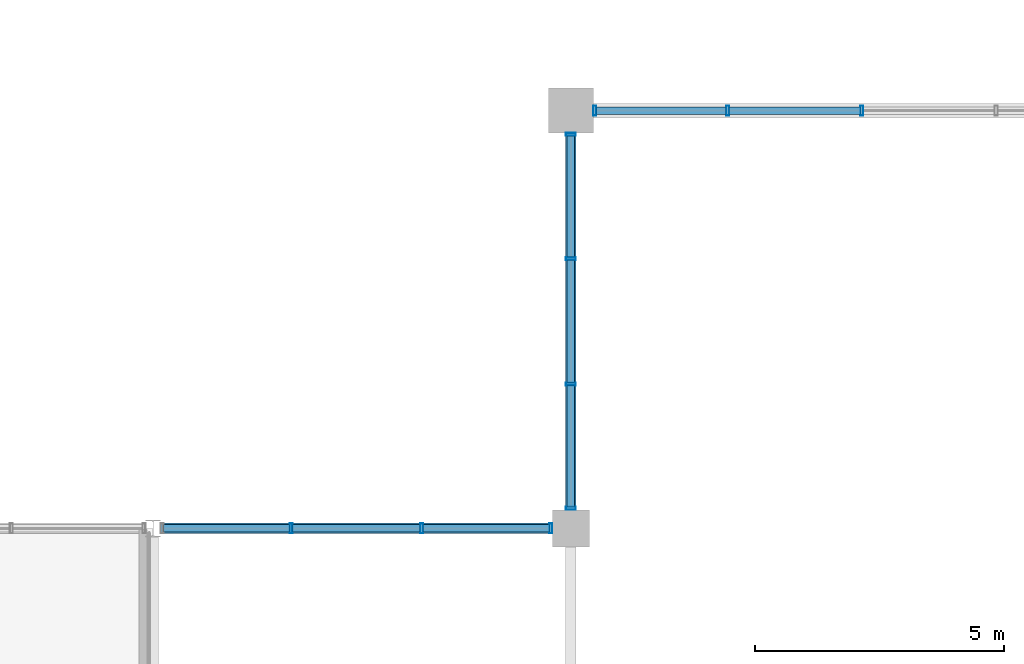
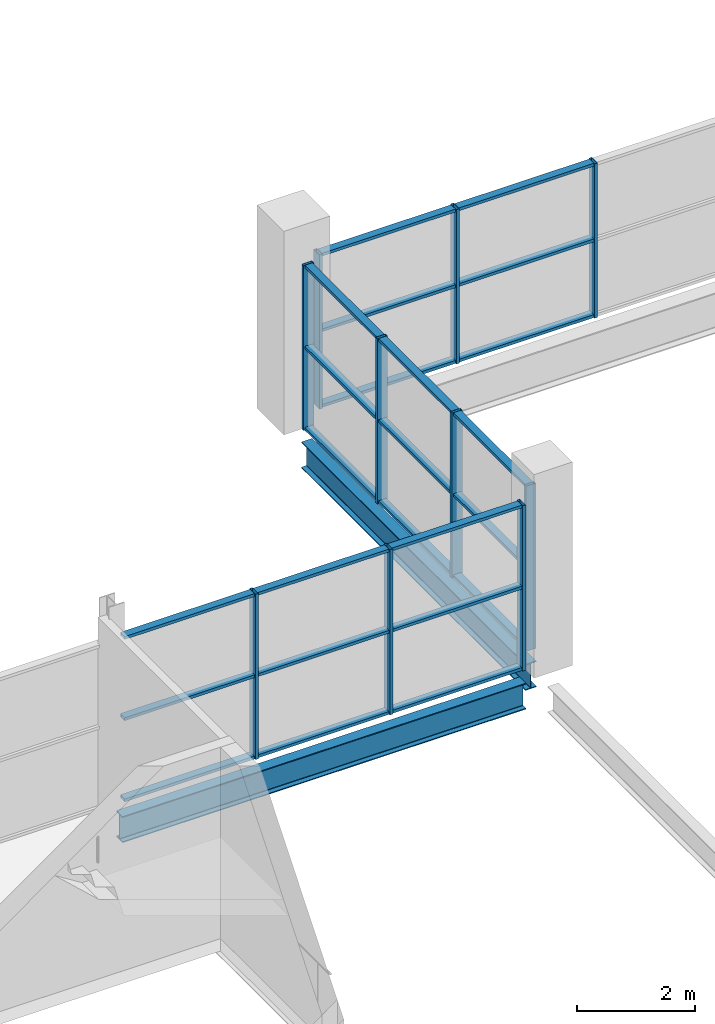
# One storey, part 35 of 93: 34 members, 2 beams, 3 elements without a shape of their own.
"""IFC4 building model written with IfcOpenShell, lengths in metres."""

from ifc_helpers import new_model, si_unit, direction, frame, origin, origin_2d, place, context, subcontext, project, spatial, hollow_rectangle, i_section, extrude, material, material_profile, profile_set, type_object, element, aggregate, save


model = new_model("IFC4")

# Units and contexts
model_context = context("Model", 3, precision=1e-05, world=origin(), true_north=direction((0.0, 1.0)))
body_context = subcontext(model_context, "Body", "Model", "MODEL_VIEW")
ifc_project = project(units=[si_unit("LENGTHUNIT", "METRE"), si_unit("AREAUNIT", "SQUARE_METRE"), si_unit("VOLUMEUNIT", "CUBIC_METRE"), si_unit("PLANEANGLEUNIT", "RADIAN"), si_unit("MASSUNIT", "GRAM", prefix="KILO"), si_unit("THERMODYNAMICTEMPERATUREUNIT", "KELVIN")], contexts=[model_context])

# Site, building, storey
site_placement = place(None, origin())
site = spatial("IfcSite", under=ifc_project, at=site_placement, CompositionType="ELEMENT")
building_placement = place(site_placement, origin())
building = spatial("IfcBuilding", under=site, at=building_placement, Name="Nduvali Passage Aquatics Centre", CompositionType="ELEMENT")
storey_placement = place(building_placement, frame((0.0, 0.0, 9.0)))
storey = spatial("IfcBuildingStorey", under=building, at=storey_placement, Name="L02", CompositionType="ELEMENT", Elevation=9.0)

# Curtain wall, members
ifc_material_1 = material(Name="Aluminium EN AW-6063 T6", Category="aluminium")
curtain_wall_type_1 = type_object("IfcCurtainWallType", Name="ENV-CW-CLER", PredefinedType="NOTDEFINED", material=ifc_material_1)
curtain_wall_1_placement = place(storey_placement, origin())
curtain_wall_1 = element("IfcCurtainWall", 1, at=curtain_wall_1_placement, inside=storey, type_object=curtain_wall_type_1, Name="L02 West Pool Hall Mid Clerestory 013", PredefinedType="NOTDEFINED")
ifc_material_profile_1 = material_profile(ifc_material_1, hollow_rectangle(XDim=0.06005859375, YDim=0.199951171875, WallThickness=0.00390625, at=origin_2d()), Name="ALU MULLION 60x200x4")
ifc_profile_set_1 = profile_set([ifc_material_profile_1], Name="Aluminium EN AW-6063 T6")
member_type_1 = type_object("IfcMemberType", Name="ENV-MEM-MUL80", PredefinedType="MULLION", material=ifc_profile_set_1)
member_1_placement = place(storey_placement, frame((25.199951171875, 84.405029296875, 0.0), z_axis=(0.0, 0.0, 1.0), x_axis=(0.0, 1.0, 0.0)))
member_1 = element("IfcMember", 2, at=member_1_placement, type_object=member_type_1, Name="West Pool Hall Mid Clerestory Mullion 1", PredefinedType="MULLION", context=body_context, shape_type="SweptSolid", body=[
    extrude(hollow_rectangle(XDim=0.06005859375, YDim=0.199951171875, WallThickness=0.00390625, at=origin_2d()), origin(), (0.0, 0.0, 1.0), 3.406494140625),
])
member_2_placement = place(storey_placement, frame((25.199951171875, 86.89990234375, 0.0), z_axis=(0.0, 0.0, 1.0), x_axis=(0.0, 1.0, 0.0)))
member_2 = element("IfcMember", 3, at=member_2_placement, type_object=member_type_1, Name="West Pool Hall Mid Clerestory Mullion 2", PredefinedType="MULLION", context=body_context, shape_type="SweptSolid", body=[
    extrude(hollow_rectangle(XDim=0.06005859375, YDim=0.199951171875, WallThickness=0.00390625, at=origin_2d()), origin(), (0.0, 0.0, 1.0), 3.406494140625),
])
member_3_placement = place(storey_placement, frame((25.199951171875, 89.425048828125, 0.0), z_axis=(0.0, 0.0, 1.0), x_axis=(0.0, 1.0, 0.0)))
member_3 = element("IfcMember", 4, at=member_3_placement, type_object=member_type_1, Name="West Pool Hall Mid Clerestory Mullion 3", PredefinedType="MULLION", context=body_context, shape_type="SweptSolid", body=[
    extrude(hollow_rectangle(XDim=0.06005859375, YDim=0.199951171875, WallThickness=0.00390625, at=origin_2d()), origin(), (0.0, 0.0, 1.0), 3.406494140625),
])
member_4_placement = place(storey_placement, frame((25.199951171875, 91.919921875, 0.0), z_axis=(0.0, 0.0, 1.0), x_axis=(0.0, 1.0, 0.0)))
member_4 = element("IfcMember", 5, at=member_4_placement, type_object=member_type_1, Name="West Pool Hall Mid Clerestory Mullion 4", PredefinedType="MULLION", context=body_context, shape_type="SweptSolid", body=[
    extrude(hollow_rectangle(XDim=0.06005859375, YDim=0.199951171875, WallThickness=0.00390625, at=origin_2d()), origin(), (0.0, 0.0, 1.0), 3.406494140625),
])

curtain_wall_2_placement = place(storey_placement, origin())
curtain_wall_2 = element("IfcCurtainWall", 6, at=curtain_wall_2_placement, inside=storey, type_object=curtain_wall_type_1, Name="L02 North Pool Hall Corner Clerestory 055", PredefinedType="NOTDEFINED")
member_5_placement = place(storey_placement, frame((25.679931640625, 92.39990234375, 0.0), z_axis=(0.0, 0.0, 1.0), x_axis=(1.0, 0.0, 0.0)))
member_5 = element("IfcMember", 7, at=member_5_placement, type_object=member_type_1, Name="North Pool Hall Corner Clerestory Mullion 1", PredefinedType="MULLION", context=body_context, shape_type="SweptSolid", body=[
    extrude(hollow_rectangle(XDim=0.06005859375, YDim=0.199951171875, WallThickness=0.00390625, at=origin_2d()), origin(), (0.0, 0.0, 1.0), 3.183837890625),
])
member_6_placement = place(storey_placement, frame((28.35009765625, 92.39990234375, 0.0), z_axis=(0.0, 0.0, 1.0), x_axis=(1.0, 0.0, 0.0)))
member_6 = element("IfcMember", 8, at=member_6_placement, type_object=member_type_1, Name="North Pool Hall Corner Clerestory Mullion 2", PredefinedType="MULLION", context=body_context, shape_type="SweptSolid", body=[
    extrude(hollow_rectangle(XDim=0.06005859375, YDim=0.199951171875, WallThickness=0.00390625, at=origin_2d()), origin(), (0.0, 0.0, 1.0), 3.183837890625),
])
member_7_placement = place(storey_placement, frame((31.050048828125, 92.39990234375, 0.0), z_axis=(0.0, 0.0, 1.0), x_axis=(1.0, 0.0, 0.0)))
member_7 = element("IfcMember", 9, at=member_7_placement, type_object=member_type_1, Name="North Pool Hall Corner Clerestory Mullion 3", PredefinedType="MULLION", context=body_context, shape_type="SweptSolid", body=[
    extrude(hollow_rectangle(XDim=0.06005859375, YDim=0.199951171875, WallThickness=0.00390625, at=origin_2d()), origin(), (0.0, 0.0, 1.0), 3.183837890625),
])

curtain_wall_type_2 = type_object("IfcCurtainWallType", Name="ENV-CW-DIVE", PredefinedType="NOTDEFINED", material=ifc_material_1)
curtain_wall_3_placement = place(storey_placement, origin())
curtain_wall_3 = element("IfcCurtainWall", 10, at=curtain_wall_3_placement, inside=storey, type_object=curtain_wall_type_2, Name="L02 Diving Side Clerestory CW 160", PredefinedType="NOTDEFINED")
member_8_placement = place(storey_placement, frame((19.574951171875, 84.0, 0.0), z_axis=(0.0, 0.0, 1.0), x_axis=(1.0, 0.0, 0.0)))
member_8 = element("IfcMember", 11, at=member_8_placement, type_object=member_type_1, Name="Diving Side Clerestory CW Mullion 2", PredefinedType="MULLION", context=body_context, shape_type="SweptSolid", body=[
    extrude(hollow_rectangle(XDim=0.06005859375, YDim=0.199951171875, WallThickness=0.00390625, at=origin_2d()), origin(), (0.0, 0.0, 1.0), 3.412841796875),
])
member_9_placement = place(storey_placement, frame((22.199951171875, 84.0, 0.0), z_axis=(0.0, 0.0, 1.0), x_axis=(1.0, 0.0, 0.0)))
member_9 = element("IfcMember", 12, at=member_9_placement, type_object=member_type_1, Name="Diving Side Clerestory CW Mullion 3", PredefinedType="MULLION", context=body_context, shape_type="SweptSolid", body=[
    extrude(hollow_rectangle(XDim=0.06005859375, YDim=0.199951171875, WallThickness=0.00390625, at=origin_2d()), origin(), (0.0, 0.0, 1.0), 3.412841796875),
])
member_10_placement = place(storey_placement, frame((24.794921875, 84.0, 0.0), z_axis=(0.0, 0.0, 1.0), x_axis=(1.0, 0.0, 0.0)))
member_10 = element("IfcMember", 13, at=member_10_placement, type_object=member_type_1, Name="Diving Side Clerestory CW Mullion 4", PredefinedType="MULLION", context=body_context, shape_type="SweptSolid", body=[
    extrude(hollow_rectangle(XDim=0.06005859375, YDim=0.199951171875, WallThickness=0.00390625, at=origin_2d()), origin(), (0.0, 0.0, 1.0), 3.412841796875),
])

# Member
ifc_material_profile_2 = material_profile(ifc_material_1, hollow_rectangle(XDim=0.14990234375, YDim=0.06005859375, WallThickness=0.00390625, at=origin_2d()), Name="ALU TRANSOM 150x60x4")
ifc_profile_set_2 = profile_set([ifc_material_profile_2], Name="Aluminium EN AW-6063 T6")
member_type_2 = type_object("IfcMemberType", Name="ENV-MEM-TRN80", PredefinedType="USERDEFINED", material=ifc_profile_set_2)
member_11_placement = place(storey_placement, frame((25.199951171875, 84.43505859375, 0.030029296875), z_axis=(0.0, 1.0, 0.0), x_axis=(-1.0, 0.0, 0.0)))
member_11 = element("IfcMember", 14, at=member_11_placement, type_object=member_type_2, Name="West Pool Hall Mid Clerestory Transom B1-R0", ObjectType="TRANSOM", PredefinedType="USERDEFINED", context=body_context, shape_type="SweptSolid", body=[
    extrude(hollow_rectangle(XDim=0.14990234375, YDim=0.06005859375, WallThickness=0.00390625, at=origin_2d()), origin(), (0.0, 0.0, 1.0), 2.43505859375),
])

member_12_placement = place(storey_placement, frame((25.199951171875, 84.43505859375, 1.703125), z_axis=(0.0, 1.0, 0.0), x_axis=(-1.0, 0.0, 0.0)))
member_12 = element("IfcMember", 15, at=member_12_placement, type_object=member_type_2, Name="West Pool Hall Mid Clerestory Transom B1-R1", ObjectType="TRANSOM", PredefinedType="USERDEFINED", context=body_context, shape_type="SweptSolid", body=[
    extrude(hollow_rectangle(XDim=0.14990234375, YDim=0.06005859375, WallThickness=0.00390625, at=origin_2d()), origin(), (0.0, 0.0, 1.0), 2.43505859375),
])

member_13_placement = place(storey_placement, frame((25.199951171875, 84.43505859375, 3.37646484375), z_axis=(0.0, 1.0, 0.0), x_axis=(-1.0, 0.0, 0.0)))
member_13 = element("IfcMember", 16, at=member_13_placement, type_object=member_type_2, Name="West Pool Hall Mid Clerestory Transom B1-R2", ObjectType="TRANSOM", PredefinedType="USERDEFINED", context=body_context, shape_type="SweptSolid", body=[
    extrude(hollow_rectangle(XDim=0.14990234375, YDim=0.06005859375, WallThickness=0.00390625, at=origin_2d()), origin(), (0.0, 0.0, 1.0), 2.43505859375),
])

member_14_placement = place(storey_placement, frame((25.199951171875, 86.929931640625, 0.030029296875), z_axis=(0.0, 1.0, 0.0), x_axis=(-1.0, 0.0, 0.0)))
member_14 = element("IfcMember", 17, at=member_14_placement, type_object=member_type_2, Name="West Pool Hall Mid Clerestory Transom B2-R0", ObjectType="TRANSOM", PredefinedType="USERDEFINED", context=body_context, shape_type="SweptSolid", body=[
    extrude(hollow_rectangle(XDim=0.14990234375, YDim=0.06005859375, WallThickness=0.00390625, at=origin_2d()), origin(), (0.0, 0.0, 1.0), 2.465087890625),
])

member_15_placement = place(storey_placement, frame((25.199951171875, 86.929931640625, 1.703125), z_axis=(0.0, 1.0, 0.0), x_axis=(-1.0, 0.0, 0.0)))
member_15 = element("IfcMember", 18, at=member_15_placement, type_object=member_type_2, Name="West Pool Hall Mid Clerestory Transom B2-R1", ObjectType="TRANSOM", PredefinedType="USERDEFINED", context=body_context, shape_type="SweptSolid", body=[
    extrude(hollow_rectangle(XDim=0.14990234375, YDim=0.06005859375, WallThickness=0.00390625, at=origin_2d()), origin(), (0.0, 0.0, 1.0), 2.465087890625),
])

member_16_placement = place(storey_placement, frame((25.199951171875, 86.929931640625, 3.37646484375), z_axis=(0.0, 1.0, 0.0), x_axis=(-1.0, 0.0, 0.0)))
member_16 = element("IfcMember", 19, at=member_16_placement, type_object=member_type_2, Name="West Pool Hall Mid Clerestory Transom B2-R2", ObjectType="TRANSOM", PredefinedType="USERDEFINED", context=body_context, shape_type="SweptSolid", body=[
    extrude(hollow_rectangle(XDim=0.14990234375, YDim=0.06005859375, WallThickness=0.00390625, at=origin_2d()), origin(), (0.0, 0.0, 1.0), 2.465087890625),
])

member_17_placement = place(storey_placement, frame((25.199951171875, 89.455078125, 0.030029296875), z_axis=(0.0, 1.0, 0.0), x_axis=(-1.0, 0.0, 0.0)))
member_17 = element("IfcMember", 20, at=member_17_placement, type_object=member_type_2, Name="West Pool Hall Mid Clerestory Transom B3-R0", ObjectType="TRANSOM", PredefinedType="USERDEFINED", context=body_context, shape_type="SweptSolid", body=[
    extrude(hollow_rectangle(XDim=0.14990234375, YDim=0.06005859375, WallThickness=0.00390625, at=origin_2d()), origin(), (0.0, 0.0, 1.0), 2.434814453125),
])

member_18_placement = place(storey_placement, frame((25.199951171875, 89.455078125, 1.703125), z_axis=(0.0, 1.0, 0.0), x_axis=(-1.0, 0.0, 0.0)))
member_18 = element("IfcMember", 21, at=member_18_placement, type_object=member_type_2, Name="West Pool Hall Mid Clerestory Transom B3-R1", ObjectType="TRANSOM", PredefinedType="USERDEFINED", context=body_context, shape_type="SweptSolid", body=[
    extrude(hollow_rectangle(XDim=0.14990234375, YDim=0.06005859375, WallThickness=0.00390625, at=origin_2d()), origin(), (0.0, 0.0, 1.0), 2.434814453125),
])

member_19_placement = place(storey_placement, frame((25.199951171875, 89.455078125, 3.37646484375), z_axis=(0.0, 1.0, 0.0), x_axis=(-1.0, 0.0, 0.0)))
member_19 = element("IfcMember", 22, at=member_19_placement, type_object=member_type_2, Name="West Pool Hall Mid Clerestory Transom B3-R2", ObjectType="TRANSOM", PredefinedType="USERDEFINED", context=body_context, shape_type="SweptSolid", body=[
    extrude(hollow_rectangle(XDim=0.14990234375, YDim=0.06005859375, WallThickness=0.00390625, at=origin_2d()), origin(), (0.0, 0.0, 1.0), 2.434814453125),
])

aggregate(curtain_wall_1, [member_1, member_2, member_3, member_4, member_11, member_12, member_13, member_14, member_15, member_16, member_17, member_18, member_19])

member_20_placement = place(storey_placement, frame((25.7099609375, 92.39990234375, 0.030029296875), z_axis=(1.0, 0.0, 0.0), x_axis=(0.0, 1.0, 0.0)))
member_20 = element("IfcMember", 23, at=member_20_placement, type_object=member_type_2, Name="North Pool Hall Corner Clerestory Transom B1-R0", ObjectType="TRANSOM", PredefinedType="USERDEFINED", context=body_context, shape_type="SweptSolid", body=[
    extrude(hollow_rectangle(XDim=0.14990234375, YDim=0.06005859375, WallThickness=0.00390625, at=origin_2d()), origin(), (0.0, 0.0, 1.0), 2.610107421875),
])

member_21_placement = place(storey_placement, frame((25.7099609375, 92.39990234375, 1.591796875), z_axis=(1.0, 0.0, 0.0), x_axis=(0.0, 1.0, 0.0)))
member_21 = element("IfcMember", 24, at=member_21_placement, type_object=member_type_2, Name="North Pool Hall Corner Clerestory Transom B1-R1", ObjectType="TRANSOM", PredefinedType="USERDEFINED", context=body_context, shape_type="SweptSolid", body=[
    extrude(hollow_rectangle(XDim=0.14990234375, YDim=0.06005859375, WallThickness=0.00390625, at=origin_2d()), origin(), (0.0, 0.0, 1.0), 2.610107421875),
])

member_22_placement = place(storey_placement, frame((25.7099609375, 92.39990234375, 3.15380859375), z_axis=(1.0, 0.0, 0.0), x_axis=(0.0, 1.0, 0.0)))
member_22 = element("IfcMember", 25, at=member_22_placement, type_object=member_type_2, Name="North Pool Hall Corner Clerestory Transom B1-R2", ObjectType="TRANSOM", PredefinedType="USERDEFINED", context=body_context, shape_type="SweptSolid", body=[
    extrude(hollow_rectangle(XDim=0.14990234375, YDim=0.06005859375, WallThickness=0.00390625, at=origin_2d()), origin(), (0.0, 0.0, 1.0), 2.610107421875),
])

member_23_placement = place(storey_placement, frame((28.3798828125, 92.39990234375, 0.030029296875), z_axis=(1.0, 0.0, 0.0), x_axis=(0.0, 1.0, 0.0)))
member_23 = element("IfcMember", 26, at=member_23_placement, type_object=member_type_2, Name="North Pool Hall Corner Clerestory Transom B2-R0", ObjectType="TRANSOM", PredefinedType="USERDEFINED", context=body_context, shape_type="SweptSolid", body=[
    extrude(hollow_rectangle(XDim=0.14990234375, YDim=0.06005859375, WallThickness=0.00390625, at=origin_2d()), origin(), (0.0, 0.0, 1.0), 2.64013671875),
])

member_24_placement = place(storey_placement, frame((28.3798828125, 92.39990234375, 1.591796875), z_axis=(1.0, 0.0, 0.0), x_axis=(0.0, 1.0, 0.0)))
member_24 = element("IfcMember", 27, at=member_24_placement, type_object=member_type_2, Name="North Pool Hall Corner Clerestory Transom B2-R1", ObjectType="TRANSOM", PredefinedType="USERDEFINED", context=body_context, shape_type="SweptSolid", body=[
    extrude(hollow_rectangle(XDim=0.14990234375, YDim=0.06005859375, WallThickness=0.00390625, at=origin_2d()), origin(), (0.0, 0.0, 1.0), 2.64013671875),
])

member_25_placement = place(storey_placement, frame((28.3798828125, 92.39990234375, 3.15380859375), z_axis=(1.0, 0.0, 0.0), x_axis=(0.0, 1.0, 0.0)))
member_25 = element("IfcMember", 28, at=member_25_placement, type_object=member_type_2, Name="North Pool Hall Corner Clerestory Transom B2-R2", ObjectType="TRANSOM", PredefinedType="USERDEFINED", context=body_context, shape_type="SweptSolid", body=[
    extrude(hollow_rectangle(XDim=0.14990234375, YDim=0.06005859375, WallThickness=0.00390625, at=origin_2d()), origin(), (0.0, 0.0, 1.0), 2.64013671875),
])

aggregate(curtain_wall_2, [member_5, member_6, member_7, member_20, member_21, member_22, member_23, member_24, member_25])

member_26_placement = place(storey_placement, frame((17.010009765625, 84.0, 0.030029296875), z_axis=(1.0, 0.0, 0.0), x_axis=(0.0, 1.0, 0.0)))
member_26 = element("IfcMember", 29, at=member_26_placement, type_object=member_type_2, Name="Diving Side Clerestory CW Transom B1-R0", ObjectType="TRANSOM", PredefinedType="USERDEFINED", context=body_context, shape_type="SweptSolid", body=[
    extrude(hollow_rectangle(XDim=0.14990234375, YDim=0.06005859375, WallThickness=0.00390625, at=origin_2d()), origin(), (0.0, 0.0, 1.0), 2.534912109375),
])

member_27_placement = place(storey_placement, frame((17.010009765625, 84.0, 1.706298828125), z_axis=(1.0, 0.0, 0.0), x_axis=(0.0, 1.0, 0.0)))
member_27 = element("IfcMember", 30, at=member_27_placement, type_object=member_type_2, Name="Diving Side Clerestory CW Transom B1-R1", ObjectType="TRANSOM", PredefinedType="USERDEFINED", context=body_context, shape_type="SweptSolid", body=[
    extrude(hollow_rectangle(XDim=0.14990234375, YDim=0.06005859375, WallThickness=0.00390625, at=origin_2d()), origin(), (0.0, 0.0, 1.0), 2.534912109375),
])

member_28_placement = place(storey_placement, frame((17.010009765625, 84.0, 3.3828125), z_axis=(1.0, 0.0, 0.0), x_axis=(0.0, 1.0, 0.0)))
member_28 = element("IfcMember", 31, at=member_28_placement, type_object=member_type_2, Name="Diving Side Clerestory CW Transom B1-R2", ObjectType="TRANSOM", PredefinedType="USERDEFINED", context=body_context, shape_type="SweptSolid", body=[
    extrude(hollow_rectangle(XDim=0.14990234375, YDim=0.06005859375, WallThickness=0.00390625, at=origin_2d()), origin(), (0.0, 0.0, 1.0), 2.534912109375),
])

member_29_placement = place(storey_placement, frame((19.60498046875, 84.0, 0.030029296875), z_axis=(1.0, 0.0, 0.0), x_axis=(0.0, 1.0, 0.0)))
member_29 = element("IfcMember", 32, at=member_29_placement, type_object=member_type_2, Name="Diving Side Clerestory CW Transom B2-R0", ObjectType="TRANSOM", PredefinedType="USERDEFINED", context=body_context, shape_type="SweptSolid", body=[
    extrude(hollow_rectangle(XDim=0.14990234375, YDim=0.06005859375, WallThickness=0.00390625, at=origin_2d()), origin(), (0.0, 0.0, 1.0), 2.56494140625),
])

member_30_placement = place(storey_placement, frame((19.60498046875, 84.0, 1.706298828125), z_axis=(1.0, 0.0, 0.0), x_axis=(0.0, 1.0, 0.0)))
member_30 = element("IfcMember", 33, at=member_30_placement, type_object=member_type_2, Name="Diving Side Clerestory CW Transom B2-R1", ObjectType="TRANSOM", PredefinedType="USERDEFINED", context=body_context, shape_type="SweptSolid", body=[
    extrude(hollow_rectangle(XDim=0.14990234375, YDim=0.06005859375, WallThickness=0.00390625, at=origin_2d()), origin(), (0.0, 0.0, 1.0), 2.56494140625),
])

member_31_placement = place(storey_placement, frame((19.60498046875, 84.0, 3.3828125), z_axis=(1.0, 0.0, 0.0), x_axis=(0.0, 1.0, 0.0)))
member_31 = element("IfcMember", 34, at=member_31_placement, type_object=member_type_2, Name="Diving Side Clerestory CW Transom B2-R2", ObjectType="TRANSOM", PredefinedType="USERDEFINED", context=body_context, shape_type="SweptSolid", body=[
    extrude(hollow_rectangle(XDim=0.14990234375, YDim=0.06005859375, WallThickness=0.00390625, at=origin_2d()), origin(), (0.0, 0.0, 1.0), 2.56494140625),
])

member_32_placement = place(storey_placement, frame((22.22998046875, 84.0, 0.030029296875), z_axis=(1.0, 0.0, 0.0), x_axis=(0.0, 1.0, 0.0)))
member_32 = element("IfcMember", 35, at=member_32_placement, type_object=member_type_2, Name="Diving Side Clerestory CW Transom B3-R0", ObjectType="TRANSOM", PredefinedType="USERDEFINED", context=body_context, shape_type="SweptSolid", body=[
    extrude(hollow_rectangle(XDim=0.14990234375, YDim=0.06005859375, WallThickness=0.00390625, at=origin_2d()), origin(), (0.0, 0.0, 1.0), 2.534912109375),
])

member_33_placement = place(storey_placement, frame((22.22998046875, 84.0, 1.706298828125), z_axis=(1.0, 0.0, 0.0), x_axis=(0.0, 1.0, 0.0)))
member_33 = element("IfcMember", 36, at=member_33_placement, type_object=member_type_2, Name="Diving Side Clerestory CW Transom B3-R1", ObjectType="TRANSOM", PredefinedType="USERDEFINED", context=body_context, shape_type="SweptSolid", body=[
    extrude(hollow_rectangle(XDim=0.14990234375, YDim=0.06005859375, WallThickness=0.00390625, at=origin_2d()), origin(), (0.0, 0.0, 1.0), 2.534912109375),
])

member_34_placement = place(storey_placement, frame((22.22998046875, 84.0, 3.3828125), z_axis=(1.0, 0.0, 0.0), x_axis=(0.0, 1.0, 0.0)))
member_34 = element("IfcMember", 37, at=member_34_placement, type_object=member_type_2, Name="Diving Side Clerestory CW Transom B3-R2", ObjectType="TRANSOM", PredefinedType="USERDEFINED", context=body_context, shape_type="SweptSolid", body=[
    extrude(hollow_rectangle(XDim=0.14990234375, YDim=0.06005859375, WallThickness=0.00390625, at=origin_2d()), origin(), (0.0, 0.0, 1.0), 2.534912109375),
])

aggregate(curtain_wall_3, [member_8, member_9, member_10, member_26, member_27, member_28, member_29, member_30, member_31, member_32, member_33, member_34])

# Beams
ifc_material_2 = material(Name="Steel S355", Category="steel")
ifc_material_profile_3 = material_profile(ifc_material_2, i_section(OverallWidth=0.210693359375, OverallDepth=0.53955078125, WebThickness=0.01171875, FlangeThickness=0.018798828125, FilletRadius=0.0126953125, at=origin_2d()), Name="UKB 533x210x109")
ifc_profile_set_3 = profile_set([ifc_material_profile_3], Name="Steel S355")
beam_type_1 = type_object("IfcBeamType", Name="STR-BM-UKB533", PredefinedType="BEAM", material=ifc_profile_set_3)
beam_1_placement = place(storey_placement, frame((16.949951171875, 84.0, -0.53369140625), z_axis=(1.0, 0.0, 0.0), x_axis=(0.0, 1.0, 0.0)))
element("IfcBeam", 38, at=beam_1_placement, inside=storey, type_object=beam_type_1, Name="L02 Primary X-Girder B6-0913", PredefinedType="BEAM", context=body_context, shape_type="SweptSolid", body=[
    extrude(i_section(OverallWidth=0.210693359375, OverallDepth=0.53955078125, WebThickness=0.01171875, FlangeThickness=0.018798828125, FilletRadius=0.0126953125, at=origin_2d()), origin(), (0.0, 0.0, 1.0), 7.875),
])
ifc_material_profile_4 = material_profile(ifc_material_2, i_section(OverallWidth=0.210693359375, OverallDepth=0.53955078125, WebThickness=0.01171875, FlangeThickness=0.018798828125, FilletRadius=0.0126953125, at=origin_2d()), Name="UKB 533x210x109")
ifc_profile_set_4 = profile_set([ifc_material_profile_4], Name="Steel S355")
beam_type_2 = type_object("IfcBeamType", Name="STR-BM-UKB533-EXT", PredefinedType="BEAM", material=ifc_profile_set_4)
beam_2_placement = place(storey_placement, frame((25.199951171875, 84.375, -0.53369140625), z_axis=(0.0, 1.0, 0.0), x_axis=(-1.0, 0.0, 0.0)))
element("IfcBeam", 39, at=beam_2_placement, inside=storey, type_object=beam_type_2, Name="L02 Primary Y-Girder B6E-0967", PredefinedType="BEAM", context=body_context, shape_type="SweptSolid", body=[
    extrude(i_section(OverallWidth=0.210693359375, OverallDepth=0.53955078125, WebThickness=0.01171875, FlangeThickness=0.018798828125, FilletRadius=0.0126953125, at=origin_2d()), origin(), (0.0, 0.0, 1.0), 7.574951171875),
])

save(model, "model.ifc")
